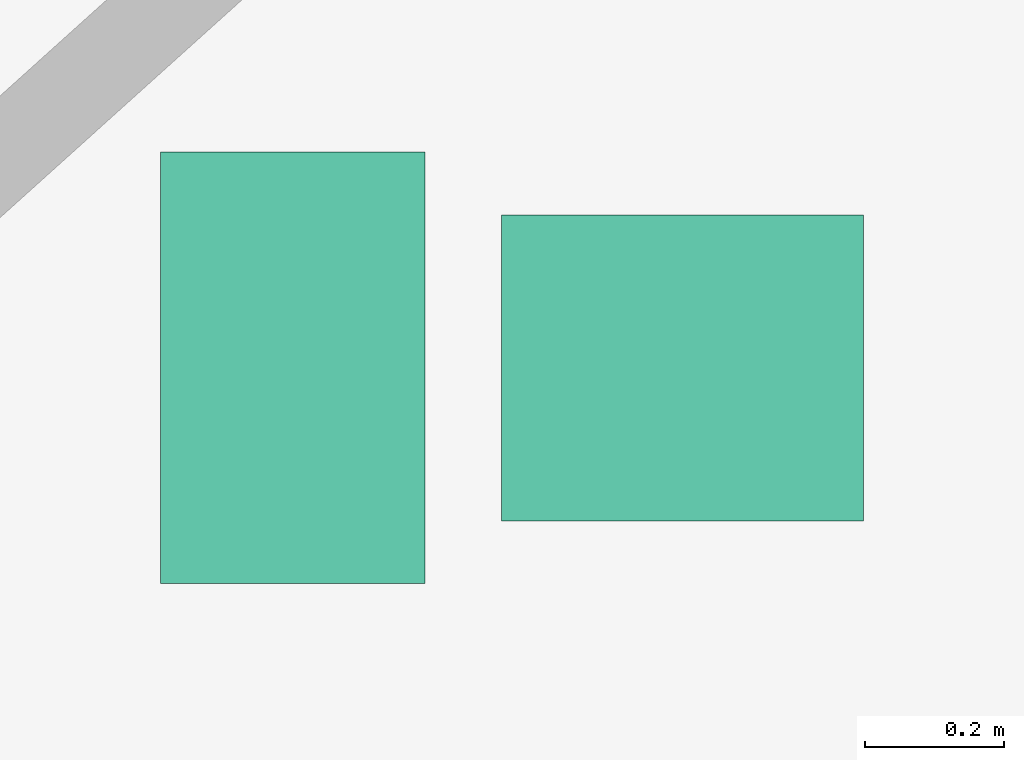
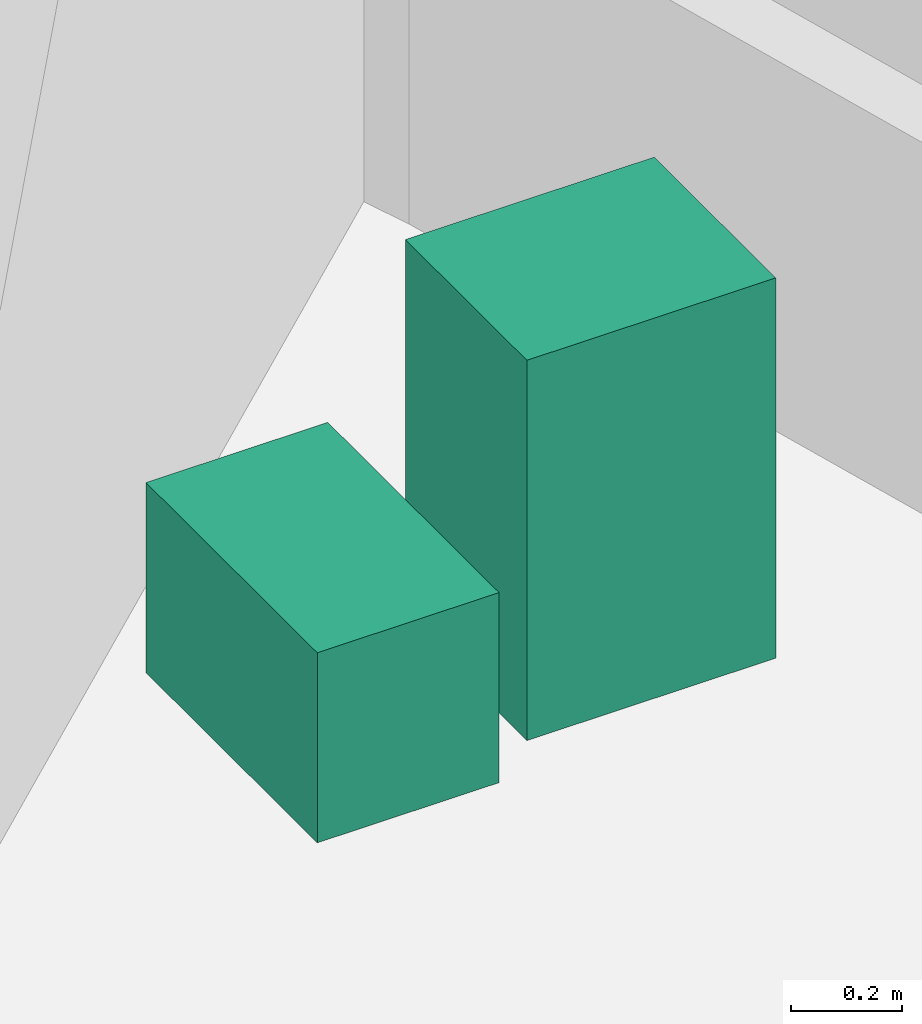
# One storey, part 12 of 12: 2 sanitary terminals.
"""IFC4 building model written with IfcOpenShell, lengths in metres."""

from ifc_helpers import new_model, si_unit, direction, frame, origin, origin_2d, place, context, subcontext, project, spatial, rectangle, extrude, source, transform, mapped, material, type_object, element, save


model = new_model("IFC4")

# Units and contexts
model_context = context("Model", 3, precision=1e-05, world=origin(), true_north=direction((0.0, 1.0)))
body_context = subcontext(model_context, "Body", "Model", "MODEL_VIEW")
ifc_project = project(units=[si_unit("LENGTHUNIT", "METRE"), si_unit("AREAUNIT", "SQUARE_METRE"), si_unit("VOLUMEUNIT", "CUBIC_METRE"), si_unit("PLANEANGLEUNIT", "RADIAN"), si_unit("MASSUNIT", "GRAM", prefix="KILO")], contexts=[model_context])

# Site, building, storey
site_placement = place(None, origin())
site = spatial("IfcSite", under=ifc_project, at=site_placement, CompositionType="ELEMENT")
building_placement = place(site_placement, origin())
building = spatial("IfcBuilding", under=site, at=building_placement, Name="Qafzar Sky-Pleat Residences", CompositionType="ELEMENT")
storey_placement = place(building_placement, frame((0.0, 0.0, 171.39990234375)))
storey = spatial("IfcBuildingStorey", under=building, at=storey_placement, Name="L51", CompositionType="ELEMENT", Elevation=171.39990234375)

# Sanitary terminals
ifc_material = material(Name="Vitreous china sanitaryware")
sanitary_terminal_type_1 = type_object("IfcSanitaryTerminalType", Name="SAN-WC-PAN", PredefinedType="TOILETPAN", material=ifc_material)
shared_shape_1 = source(origin(), body_context, "Body", "SweptSolid", [
    extrude(rectangle(XDim=0.3798828125, YDim=0.6201171875, at=origin_2d()), origin(), (0.0, 0.0, 1.0), 0.419921875),
])
sanitary_terminal_1_placement = place(storey_placement, frame((40.941650390625, 34.855224609375, 0.000244140625), z_axis=(0.0, 0.0, 1.0), x_axis=(1.0, 0.0, 0.0)))
element("IfcSanitaryTerminal", 1, at=sanitary_terminal_1_placement, inside=storey, type_object=sanitary_terminal_type_1, Name="L51 Accessible Shared Washroom WC Pan", PredefinedType="TOILETPAN", context=body_context, shape_type="MappedRepresentation", body=[
    mapped(shared_shape_1, transform((0.0, 0.0, 0.0), x_axis=(1.0, 0.0, 0.0), y_axis=(0.0, 1.0, 0.0), z_axis=(0.0, 0.0, 1.0), scale=1.0)),
])
sanitary_terminal_type_2 = type_object("IfcSanitaryTerminalType", Name="SAN-BASIN", PredefinedType="WASHHANDBASIN", material=ifc_material)
shared_shape_2 = source(origin(), body_context, "Body", "SweptSolid", [
    extrude(rectangle(XDim=0.52001953125, YDim=0.43994140625, at=origin_2d()), origin(), (0.0, 0.0, 1.0), 0.840087890625),
])
sanitary_terminal_2_placement = place(storey_placement, frame((41.501708984375, 34.855224609375, 0.0), z_axis=(0.0, 0.0, 1.0), x_axis=(1.0, 0.0, 0.0)))
element("IfcSanitaryTerminal", 2, at=sanitary_terminal_2_placement, inside=storey, type_object=sanitary_terminal_type_2, Name="L51 Accessible Shared Washroom Pedestal Washbasin", PredefinedType="WASHHANDBASIN", context=body_context, shape_type="MappedRepresentation", body=[
    mapped(shared_shape_2, transform((0.0, 0.0, 0.0), x_axis=(1.0, 0.0, 0.0), y_axis=(0.0, 1.0, 0.0), z_axis=(0.0, 0.0, 1.0), scale=1.0)),
])

save(model, "model.ifc")
